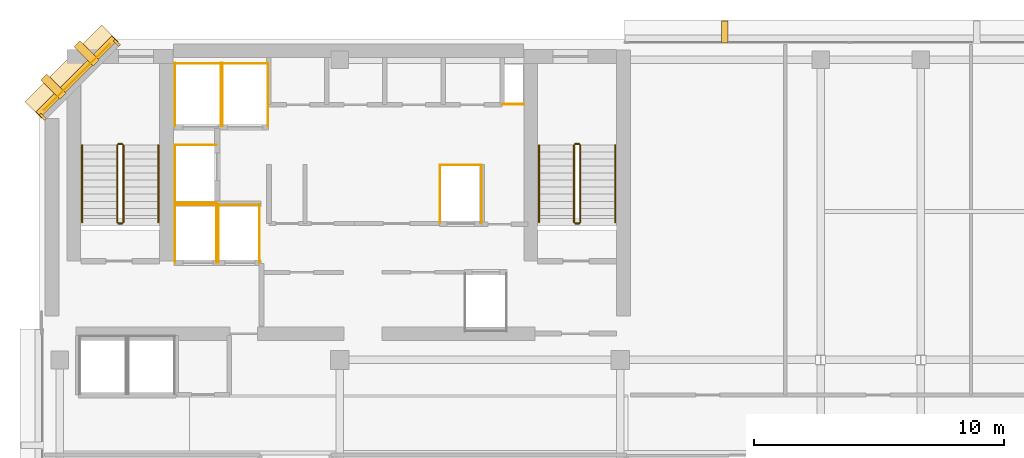
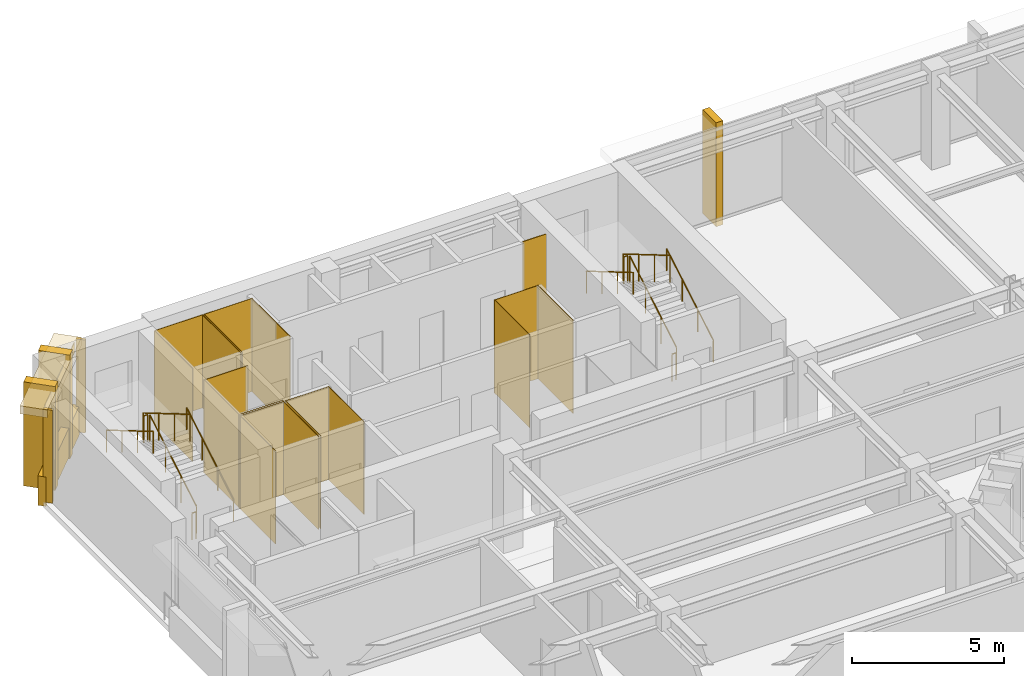
# One storey, part 10 of 11: 27 coverings, 12 railings.
"""IFC4 building model written with IfcOpenShell, lengths in metres."""

from ifc_helpers import new_model, si_unit, direction, frame, origin, origin_2d, place, context, subcontext, project, spatial, polyline, rectangle, circle, outline, extrude, material, layer, layer_set, type_object, element, save


model = new_model("IFC4")

# Units and contexts
model_context = context("Model", 3, precision=1e-05, world=origin(), true_north=direction((0.0, 1.0)))
body_context = subcontext(model_context, "Body", "Model", "MODEL_VIEW")
ifc_project = project(units=[si_unit("LENGTHUNIT", "METRE"), si_unit("AREAUNIT", "SQUARE_METRE"), si_unit("VOLUMEUNIT", "CUBIC_METRE"), si_unit("PLANEANGLEUNIT", "RADIAN"), si_unit("MASSUNIT", "GRAM", prefix="KILO")], contexts=[model_context])

# Site, building, storey
site_placement = place(None, origin())
site = spatial("IfcSite", under=ifc_project, at=site_placement, CompositionType="ELEMENT")
building_placement = place(site_placement, origin())
building = spatial("IfcBuilding", under=site, at=building_placement, Name="Kefirva Bronze Tower", CompositionType="ELEMENT")
storey_placement = place(building_placement, frame((0.0, 0.0, 303.929931640625)))
storey = spatial("IfcBuildingStorey", under=building, at=storey_placement, Name="L74", CompositionType="ELEMENT", Elevation=303.929931640625)

# Coverings
ifc_material_1 = material(Name="Bronze anodised aluminium", Category="aluminium")
ifc_layer_1 = layer(ifc_material_1, 0.02001953125, Name="Bronze anodised aluminium")
ifc_layer_set_1 = layer_set([ifc_layer_1], Name="Bronze anodised aluminium")
covering_type_1 = type_object("IfcCoveringType", Name="Anodised Bronze Spandrel Cladding 20mm", PredefinedType="CLADDING", material=ifc_layer_set_1)
covering_1_placement = place(storey_placement, frame((1.492919921875, 44.507080078125, 3.320068359375), z_axis=(0.0, 0.0, 1.0), x_axis=(-0.707106781187, -0.707106781187, 0.0)))
element("IfcCovering", 1, at=covering_1_placement, inside=storey, type_object=covering_type_1, Name="L74 Bronze Spandrel Cladding 6", PredefinedType="CLADDING", context=body_context, shape_type="SweptSolid", body=[
    extrude(rectangle(XDim=3.719482421875, YDim=0.02001953125, at=origin_2d()), origin(), (0.0, 0.0, 1.0), 0.39990234375),
])
for number, where, z_axis, x_axis, name in (
    (2, (3.08837890625, 45.862060546875, 0.0), (0.0, 0.0, 1.0), (-0.707106781187, -0.707106781187, 0.0), "L74 Facade Joint Closure Panel 6S"),
    (3, (0.137939453125, 42.91162109375, 0.0), (0.0, 0.0, 1.0), (-0.707106781187, -0.707106781187, 0.0), "L74 Facade Joint Closure Panel 6E"),
):
    element("IfcCovering", number, at=place(storey_placement, frame(where, z_axis=z_axis, x_axis=x_axis)), inside=storey, type_object=covering_type_1, Name=name, PredefinedType="CLADDING", context=body_context, shape_type="SweptSolid", body=[
        extrude(rectangle(XDim=0.10009765625, YDim=0.320068359375, at=origin_2d()), origin(), (0.0, 0.0, 1.0), 3.739990234375),
    ])
covering_2_placement = place(storey_placement, frame((1.4716796875, 44.5283203125, -0.15966796875), z_axis=(0.0, 0.0, 1.0), x_axis=(-0.707106781187, -0.707106781187, 0.0)))
element("IfcCovering", 4, at=covering_2_placement, inside=storey, type_object=covering_type_1, Name="L74 Streamline Horizontal Spandrel Band 9", PredefinedType="CLADDING", context=body_context, shape_type="SweptSolid", body=[
    extrude(rectangle(XDim=4.28271484375, YDim=0.280029296875, at=origin_2d()), origin(), (0.0, 0.0, 1.0), 1.179931640625),
])
covering_3_placement = place(storey_placement, origin())
element("IfcCovering", 5, at=covering_3_placement, inside=storey, type_object=covering_type_1, Name="L74 Lift FF1 Hoistway Liner N", PredefinedType="CLADDING", context=body_context, shape_type="SweptSolid", body=[
    extrude(outline(polyline([(5.39990234375, 39.389892578125), (7.080078125, 39.389892578125), (7.080078125, 39.409912109375), (5.39990234375, 39.409912109375), (5.39990234375, 39.389892578125)])), origin(), (0.0, 0.0, 1.0), 3.739990234375),
])
covering_4_placement = place(storey_placement, origin())
element("IfcCovering", 6, at=covering_4_placement, inside=storey, type_object=covering_type_1, Name="L74 Lift FF1 Hoistway Liner W", PredefinedType="CLADDING", context=body_context, shape_type="SweptSolid", body=[
    extrude(outline(polyline([(5.409912109375, 37.080078125), (5.429931640625, 37.080078125), (5.429931640625, 39.419921875), (5.409912109375, 39.419921875), (5.409912109375, 37.080078125)])), origin(), (0.0, 0.0, 1.0), 3.739990234375),
])
covering_5_placement = place(storey_placement, origin())
element("IfcCovering", 7, at=covering_5_placement, inside=storey, type_object=covering_type_1, Name="L74 Lift FF1 Hoistway Liner E", PredefinedType="CLADDING", context=body_context, shape_type="SweptSolid", body=[
    extrude(outline(polyline([(7.050048828125, 37.080078125), (7.070068359375, 37.080078125), (7.070068359375, 39.419921875), (7.050048828125, 39.419921875), (7.050048828125, 37.080078125)])), origin(), (0.0, 0.0, 1.0), 3.739990234375),
])
covering_6_placement = place(storey_placement, origin())
element("IfcCovering", 8, at=covering_6_placement, inside=storey, type_object=covering_type_1, Name="L74 Lift FF2 Hoistway Liner N", PredefinedType="CLADDING", context=body_context, shape_type="SweptSolid", body=[
    extrude(outline(polyline([(7.1201171875, 39.389892578125), (8.800048828125, 39.389892578125), (8.800048828125, 39.409912109375), (7.1201171875, 39.409912109375), (7.1201171875, 39.389892578125)])), origin(), (0.0, 0.0, 1.0), 3.739990234375),
])
covering_7_placement = place(storey_placement, origin())
element("IfcCovering", 9, at=covering_7_placement, inside=storey, type_object=covering_type_1, Name="L74 Lift FF2 Hoistway Liner W", PredefinedType="CLADDING", context=body_context, shape_type="SweptSolid", body=[
    extrude(outline(polyline([(7.1298828125, 37.080078125), (7.14990234375, 37.080078125), (7.14990234375, 39.419921875), (7.1298828125, 39.419921875), (7.1298828125, 37.080078125)])), origin(), (0.0, 0.0, 1.0), 3.739990234375),
])
covering_8_placement = place(storey_placement, origin())
element("IfcCovering", 10, at=covering_8_placement, inside=storey, type_object=covering_type_1, Name="L74 Lift FF2 Hoistway Liner E", PredefinedType="CLADDING", context=body_context, shape_type="SweptSolid", body=[
    extrude(outline(polyline([(8.77001953125, 37.080078125), (8.7900390625, 37.080078125), (8.7900390625, 39.419921875), (8.77001953125, 39.419921875), (8.77001953125, 37.080078125)])), origin(), (0.0, 0.0, 1.0), 3.739990234375),
])
covering_9_placement = place(storey_placement, origin())
element("IfcCovering", 11, at=covering_9_placement, inside=storey, type_object=covering_type_1, Name="L74 Lift SV1 Hoistway Liner N", PredefinedType="CLADDING", context=body_context, shape_type="SweptSolid", body=[
    extrude(outline(polyline([(5.39990234375, 45.0400390625), (7.260009765625, 45.0400390625), (7.260009765625, 45.06005859375), (5.39990234375, 45.06005859375), (5.39990234375, 45.0400390625)])), origin(), (0.0, 0.0, 1.0), 3.739990234375),
])
covering_10_placement = place(storey_placement, origin())
element("IfcCovering", 12, at=covering_10_placement, inside=storey, type_object=covering_type_1, Name="L74 Lift SV1 Hoistway Liner W", PredefinedType="CLADDING", context=body_context, shape_type="SweptSolid", body=[
    extrude(outline(polyline([(5.409912109375, 42.530029296875), (5.429931640625, 42.530029296875), (5.429931640625, 45.070068359375), (5.409912109375, 45.070068359375), (5.409912109375, 42.530029296875)])), origin(), (0.0, 0.0, 1.0), 3.739990234375),
])
covering_11_placement = place(storey_placement, origin())
element("IfcCovering", 13, at=covering_11_placement, inside=storey, type_object=covering_type_1, Name="L74 Lift SV1 Hoistway Liner E", PredefinedType="CLADDING", context=body_context, shape_type="SweptSolid", body=[
    extrude(outline(polyline([(7.22998046875, 42.530029296875), (7.25, 42.530029296875), (7.25, 45.070068359375), (7.22998046875, 45.070068359375), (7.22998046875, 42.530029296875)])), origin(), (0.0, 0.0, 1.0), 3.739990234375),
])
covering_12_placement = place(storey_placement, origin())
element("IfcCovering", 14, at=covering_12_placement, inside=storey, type_object=covering_type_1, Name="L74 Lift SV2 Hoistway Liner N", PredefinedType="CLADDING", context=body_context, shape_type="SweptSolid", body=[
    extrude(outline(polyline([(7.280029296875, 45.0400390625), (9.139892578125, 45.0400390625), (9.139892578125, 45.06005859375), (7.280029296875, 45.06005859375), (7.280029296875, 45.0400390625)])), origin(), (0.0, 0.0, 1.0), 3.739990234375),
])
covering_13_placement = place(storey_placement, origin())
element("IfcCovering", 15, at=covering_13_placement, inside=storey, type_object=covering_type_1, Name="L74 Lift SV2 Hoistway Liner W", PredefinedType="CLADDING", context=body_context, shape_type="SweptSolid", body=[
    extrude(outline(polyline([(7.2900390625, 42.530029296875), (7.31005859375, 42.530029296875), (7.31005859375, 45.070068359375), (7.2900390625, 45.070068359375), (7.2900390625, 42.530029296875)])), origin(), (0.0, 0.0, 1.0), 3.739990234375),
])
covering_14_placement = place(storey_placement, origin())
element("IfcCovering", 16, at=covering_14_placement, inside=storey, type_object=covering_type_1, Name="L74 Lift SV2 Hoistway Liner E", PredefinedType="CLADDING", context=body_context, shape_type="SweptSolid", body=[
    extrude(outline(polyline([(9.110107421875, 42.530029296875), (9.1298828125, 42.530029296875), (9.1298828125, 45.070068359375), (9.110107421875, 45.070068359375), (9.110107421875, 42.530029296875)])), origin(), (0.0, 0.0, 1.0), 3.739990234375),
])
covering_15_placement = place(storey_placement, origin())
element("IfcCovering", 17, at=covering_15_placement, inside=storey, type_object=covering_type_1, Name="L74 Lift HP2 Hoistway Liner N", PredefinedType="CLADDING", context=body_context, shape_type="SweptSolid", body=[
    extrude(outline(polyline([(15.97998046875, 40.969970703125), (17.669921875, 40.969970703125), (17.669921875, 40.989990234375), (15.97998046875, 40.989990234375), (15.97998046875, 40.969970703125)])), origin(), (0.0, 0.0, 1.0), 3.739990234375),
])
covering_16_placement = place(storey_placement, origin())
element("IfcCovering", 18, at=covering_16_placement, inside=storey, type_object=covering_type_1, Name="L74 Lift HP2 Hoistway Liner W", PredefinedType="CLADDING", context=body_context, shape_type="SweptSolid", body=[
    extrude(outline(polyline([(15.989990234375, 38.659912109375), (16.010009765625, 38.659912109375), (16.010009765625, 41.0), (15.989990234375, 41.0), (15.989990234375, 38.659912109375)])), origin(), (0.0, 0.0, 1.0), 3.739990234375),
])
covering_17_placement = place(storey_placement, origin())
element("IfcCovering", 19, at=covering_17_placement, inside=storey, type_object=covering_type_1, Name="L74 Lift HP2 Hoistway Liner E", PredefinedType="CLADDING", context=body_context, shape_type="SweptSolid", body=[
    extrude(outline(polyline([(17.639892578125, 38.659912109375), (17.659912109375, 38.659912109375), (17.659912109375, 41.0), (17.639892578125, 41.0), (17.639892578125, 38.659912109375)])), origin(), (0.0, 0.0, 1.0), 3.739990234375),
])
covering_18_placement = place(storey_placement, origin())
element("IfcCovering", 20, at=covering_18_placement, inside=storey, type_object=covering_type_1, Name="L74 Lift HP3 Hoistway Liner N", PredefinedType="CLADDING", context=body_context, shape_type="SweptSolid", body=[
    extrude(outline(polyline([(5.39990234375, 41.77001953125), (7.080078125, 41.77001953125), (7.080078125, 41.7900390625), (5.39990234375, 41.7900390625), (5.39990234375, 41.77001953125)])), origin(), (0.0, 0.0, 1.0), 3.739990234375),
])
covering_19_placement = place(storey_placement, origin())
element("IfcCovering", 21, at=covering_19_placement, inside=storey, type_object=covering_type_1, Name="L74 Lift HP3 Hoistway Liner S", PredefinedType="CLADDING", context=body_context, shape_type="SweptSolid", body=[
    extrude(outline(polyline([(5.39990234375, 39.469970703125), (7.080078125, 39.469970703125), (7.080078125, 39.489990234375), (5.39990234375, 39.489990234375), (5.39990234375, 39.469970703125)])), origin(), (0.0, 0.0, 1.0), 3.739990234375),
])
covering_20_placement = place(storey_placement, origin())
element("IfcCovering", 22, at=covering_20_placement, inside=storey, type_object=covering_type_1, Name="L74 Lift HP3 Hoistway Liner W", PredefinedType="CLADDING", context=body_context, shape_type="SweptSolid", body=[
    extrude(outline(polyline([(5.409912109375, 39.4599609375), (5.429931640625, 39.4599609375), (5.429931640625, 41.800048828125), (5.409912109375, 41.800048828125), (5.409912109375, 39.4599609375)])), origin(), (0.0, 0.0, 1.0), 3.739990234375),
])
covering_21_placement = place(storey_placement, origin())
element("IfcCovering", 23, at=covering_21_placement, inside=storey, type_object=covering_type_1, Name="L74 Core MEP Riser Shaft Liner South", PredefinedType="CLADDING", context=body_context, shape_type="SweptSolid", body=[
    extrude(outline(polyline([(18.47998046875, 43.39990234375), (19.360107421875, 43.39990234375), (19.360107421875, 43.429931640625), (18.47998046875, 43.429931640625), (18.47998046875, 43.39990234375)])), origin(), (0.0, 0.0, 1.0), 3.739990234375),
])

# Railings
ifc_material_2 = material(Name="Stainless steel 316", Category="steel")
railing_type_1 = type_object("IfcRailingType", Name="Interior Stair Guardrail 1100mm", PredefinedType="GUARDRAIL", material=ifc_material_2)
railing_1_placement = place(storey_placement, frame((3.35009765625, 38.699951171875, 0.1650390625)))
element("IfcRailing", 24, at=railing_1_placement, inside=storey, type_object=railing_type_1, Name="L74 ST-1 stair guard 1", PredefinedType="GUARDRAIL", context=body_context, shape_type="SweptSolid", body=[
    extrude(circle(Radius=0.02392578125, at=origin_2d()), frame((0.0, 0.0, 1.076171875), z_axis=(0.0, 0.861551262678, 0.507670583921), x_axis=(-1.0, 0.0, 0.0)), (0.0, 0.0, 1.0), 3.574951171875),
    extrude(circle(Radius=0.02099609375, at=origin_2d()), origin(), (0.0, 0.0, 1.0), 1.052001953125),
    extrude(circle(Radius=0.02099609375, at=origin_2d()), frame((0.0, 1.026611328125, 0.60498046875)), (0.0, 0.0, 1.0), 1.052001953125),
    extrude(circle(Radius=0.02099609375, at=origin_2d()), frame((0.0, 2.053466796875, 1.2099609375)), (0.0, 0.0, 1.0), 1.052001953125),
    extrude(circle(Radius=0.02099609375, at=origin_2d()), frame((0.0, 3.080078125, 1.81494140625)), (0.0, 0.0, 1.0), 1.052001953125),
])
railing_2_placement = place(storey_placement, frame((3.300048828125, 41.830078125, 1.97998046875)))
element("IfcRailing", 25, at=railing_2_placement, inside=storey, type_object=railing_type_1, Name="L74 ST-1 stair guard 2", PredefinedType="GUARDRAIL", context=body_context, shape_type="SweptSolid", body=[
    extrude(circle(Radius=0.02392578125, at=origin_2d()), frame((0.0, 0.0, 1.076171875), z_axis=(-1.0, 0.0, 0.0), x_axis=(0.0, -1.0, 0.0)), (0.0, 0.0, 1.0), 0.150146484375),
    extrude(circle(Radius=0.02099609375, at=origin_2d()), origin(), (0.0, 0.0, 1.0), 1.052001953125),
    extrude(circle(Radius=0.02099609375, at=origin_2d()), frame((-0.150146484375, 0.0, 0.0)), (0.0, 0.0, 1.0), 1.052001953125),
])
railing_3_placement = place(storey_placement, frame((3.10009765625, 41.780029296875, 2.14501953125)))
element("IfcRailing", 26, at=railing_3_placement, inside=storey, type_object=railing_type_1, Name="L74 ST-1 stair guard 3", PredefinedType="GUARDRAIL", context=body_context, shape_type="SweptSolid", body=[
    extrude(circle(Radius=0.02392578125, at=origin_2d()), frame((0.0, 0.0, 1.076171875), z_axis=(0.0, -0.861551262678, 0.507670583921), x_axis=(1.0, 0.0, 0.0)), (0.0, 0.0, 1.0), 3.574951171875),
    extrude(circle(Radius=0.02099609375, at=origin_2d()), origin(), (0.0, 0.0, 1.0), 1.052001953125),
    extrude(circle(Radius=0.02099609375, at=origin_2d()), frame((0.0, -1.026611328125, 0.60498046875)), (0.0, 0.0, 1.0), 1.052001953125),
    extrude(circle(Radius=0.02099609375, at=origin_2d()), frame((0.0, -2.053466796875, 1.2099609375)), (0.0, 0.0, 1.0), 1.052001953125),
    extrude(circle(Radius=0.02099609375, at=origin_2d()), frame((0.0, -3.080078125, 1.81494140625)), (0.0, 0.0, 1.0), 1.052001953125),
])
railing_4_placement = place(storey_placement, frame((3.300048828125, 38.64990234375, 0.0)))
element("IfcRailing", 27, at=railing_4_placement, inside=storey, type_object=railing_type_1, Name="L74 ST-1 stair guard 4", PredefinedType="GUARDRAIL", context=body_context, shape_type="SweptSolid", body=[
    extrude(circle(Radius=0.02392578125, at=origin_2d()), frame((0.0, 0.0, 1.076171875), z_axis=(-1.0, 0.0, 0.0), x_axis=(0.0, -1.0, 0.0)), (0.0, 0.0, 1.0), 0.150146484375),
    extrude(circle(Radius=0.02099609375, at=origin_2d()), origin(), (0.0, 0.0, 1.0), 1.052001953125),
    extrude(circle(Radius=0.02099609375, at=origin_2d()), frame((-0.150146484375, 0.0, 0.0)), (0.0, 0.0, 1.0), 1.052001953125),
])
railing_5_placement = place(storey_placement, frame((21.60009765625, 38.699951171875, 0.1650390625)))
element("IfcRailing", 28, at=railing_5_placement, inside=storey, type_object=railing_type_1, Name="L74 ST-2 stair guard 1", PredefinedType="GUARDRAIL", context=body_context, shape_type="SweptSolid", body=[
    extrude(circle(Radius=0.02392578125, at=origin_2d()), frame((0.0, 0.0, 1.076171875), z_axis=(0.0, 0.861551262678, 0.507670583921), x_axis=(-1.0, 0.0, 0.0)), (0.0, 0.0, 1.0), 3.574951171875),
    extrude(circle(Radius=0.02099609375, at=origin_2d()), origin(), (0.0, 0.0, 1.0), 1.052001953125),
    extrude(circle(Radius=0.02099609375, at=origin_2d()), frame((0.0, 1.026611328125, 0.60498046875)), (0.0, 0.0, 1.0), 1.052001953125),
    extrude(circle(Radius=0.02099609375, at=origin_2d()), frame((0.0, 2.053466796875, 1.2099609375)), (0.0, 0.0, 1.0), 1.052001953125),
    extrude(circle(Radius=0.02099609375, at=origin_2d()), frame((0.0, 3.080078125, 1.81494140625)), (0.0, 0.0, 1.0), 1.052001953125),
])
railing_6_placement = place(storey_placement, frame((21.550048828125, 41.830078125, 1.97998046875)))
element("IfcRailing", 29, at=railing_6_placement, inside=storey, type_object=railing_type_1, Name="L74 ST-2 stair guard 2", PredefinedType="GUARDRAIL", context=body_context, shape_type="SweptSolid", body=[
    extrude(circle(Radius=0.02392578125, at=origin_2d()), frame((0.0, 0.0, 1.076171875), z_axis=(-1.0, 0.0, 0.0), x_axis=(0.0, -1.0, 0.0)), (0.0, 0.0, 1.0), 0.150146484375),
    extrude(circle(Radius=0.02099609375, at=origin_2d()), origin(), (0.0, 0.0, 1.0), 1.052001953125),
    extrude(circle(Radius=0.02099609375, at=origin_2d()), frame((-0.150146484375, 0.0, 0.0)), (0.0, 0.0, 1.0), 1.052001953125),
])
railing_7_placement = place(storey_placement, frame((21.35009765625, 41.780029296875, 2.14501953125)))
element("IfcRailing", 30, at=railing_7_placement, inside=storey, type_object=railing_type_1, Name="L74 ST-2 stair guard 3", PredefinedType="GUARDRAIL", context=body_context, shape_type="SweptSolid", body=[
    extrude(circle(Radius=0.02392578125, at=origin_2d()), frame((0.0, 0.0, 1.076171875), z_axis=(0.0, -0.861551262678, 0.507670583921), x_axis=(1.0, 0.0, 0.0)), (0.0, 0.0, 1.0), 3.574951171875),
    extrude(circle(Radius=0.02099609375, at=origin_2d()), origin(), (0.0, 0.0, 1.0), 1.052001953125),
    extrude(circle(Radius=0.02099609375, at=origin_2d()), frame((0.0, -1.026611328125, 0.60498046875)), (0.0, 0.0, 1.0), 1.052001953125),
    extrude(circle(Radius=0.02099609375, at=origin_2d()), frame((0.0, -2.053466796875, 1.2099609375)), (0.0, 0.0, 1.0), 1.052001953125),
    extrude(circle(Radius=0.02099609375, at=origin_2d()), frame((0.0, -3.080078125, 1.81494140625)), (0.0, 0.0, 1.0), 1.052001953125),
])
railing_8_placement = place(storey_placement, frame((21.550048828125, 38.64990234375, 0.0)))
element("IfcRailing", 31, at=railing_8_placement, inside=storey, type_object=railing_type_1, Name="L74 ST-2 stair guard 4", PredefinedType="GUARDRAIL", context=body_context, shape_type="SweptSolid", body=[
    extrude(circle(Radius=0.02392578125, at=origin_2d()), frame((0.0, 0.0, 1.076171875), z_axis=(-1.0, 0.0, 0.0), x_axis=(0.0, -1.0, 0.0)), (0.0, 0.0, 1.0), 0.150146484375),
    extrude(circle(Radius=0.02099609375, at=origin_2d()), origin(), (0.0, 0.0, 1.0), 1.052001953125),
    extrude(circle(Radius=0.02099609375, at=origin_2d()), frame((-0.150146484375, 0.0, 0.0)), (0.0, 0.0, 1.0), 1.052001953125),
])
railing_type_2 = type_object("IfcRailingType", Name="Stair Pitch Handrail 900mm", PredefinedType="HANDRAIL", material=ifc_material_2)
railing_9_placement = place(storey_placement, frame((4.75, 38.699951171875, 0.1650390625)))
element("IfcRailing", 32, at=railing_9_placement, inside=storey, type_object=railing_type_2, Name="L74 ST-1 stair handrail 1", PredefinedType="HANDRAIL", context=body_context, shape_type="SweptSolid", body=[
    extrude(circle(Radius=0.02392578125, at=origin_2d()), frame((0.0, 0.0, 0.8759765625), z_axis=(0.0, 0.861551262678, 0.507670583921), x_axis=(-1.0, 0.0, 0.0)), (0.0, 0.0, 1.0), 3.574951171875),
    extrude(circle(Radius=0.02099609375, at=origin_2d()), origin(), (0.0, 0.0, 1.0), 0.851806640625),
    extrude(circle(Radius=0.02099609375, at=origin_2d()), frame((0.0, 1.026611328125, 0.60498046875)), (0.0, 0.0, 1.0), 0.851806640625),
    extrude(circle(Radius=0.02099609375, at=origin_2d()), frame((0.0, 2.053466796875, 1.2099609375)), (0.0, 0.0, 1.0), 0.851806640625),
    extrude(circle(Radius=0.02099609375, at=origin_2d()), frame((0.0, 3.080078125, 1.81494140625)), (0.0, 0.0, 1.0), 0.851806640625),
])
railing_10_placement = place(storey_placement, frame((1.699951171875, 41.780029296875, 2.14501953125)))
element("IfcRailing", 33, at=railing_10_placement, inside=storey, type_object=railing_type_2, Name="L74 ST-1 stair handrail 2", PredefinedType="HANDRAIL", context=body_context, shape_type="SweptSolid", body=[
    extrude(circle(Radius=0.02392578125, at=origin_2d()), frame((0.0, 0.0, 0.8759765625), z_axis=(0.0, -0.861551262678, 0.507670583921), x_axis=(1.0, 0.0, 0.0)), (0.0, 0.0, 1.0), 3.574951171875),
    extrude(circle(Radius=0.02099609375, at=origin_2d()), origin(), (0.0, 0.0, 1.0), 0.851806640625),
    extrude(circle(Radius=0.02099609375, at=origin_2d()), frame((0.0, -1.026611328125, 0.60498046875)), (0.0, 0.0, 1.0), 0.851806640625),
    extrude(circle(Radius=0.02099609375, at=origin_2d()), frame((0.0, -2.053466796875, 1.2099609375)), (0.0, 0.0, 1.0), 0.851806640625),
    extrude(circle(Radius=0.02099609375, at=origin_2d()), frame((0.0, -3.080078125, 1.81494140625)), (0.0, 0.0, 1.0), 0.851806640625),
])
railing_11_placement = place(storey_placement, frame((23.0, 38.699951171875, 0.1650390625)))
element("IfcRailing", 34, at=railing_11_placement, inside=storey, type_object=railing_type_2, Name="L74 ST-2 stair handrail 1", PredefinedType="HANDRAIL", context=body_context, shape_type="SweptSolid", body=[
    extrude(circle(Radius=0.02392578125, at=origin_2d()), frame((0.0, 0.0, 0.8759765625), z_axis=(0.0, 0.861551262678, 0.507670583921), x_axis=(-1.0, 0.0, 0.0)), (0.0, 0.0, 1.0), 3.574951171875),
    extrude(circle(Radius=0.02099609375, at=origin_2d()), origin(), (0.0, 0.0, 1.0), 0.851806640625),
    extrude(circle(Radius=0.02099609375, at=origin_2d()), frame((0.0, 1.026611328125, 0.60498046875)), (0.0, 0.0, 1.0), 0.851806640625),
    extrude(circle(Radius=0.02099609375, at=origin_2d()), frame((0.0, 2.053466796875, 1.2099609375)), (0.0, 0.0, 1.0), 0.851806640625),
    extrude(circle(Radius=0.02099609375, at=origin_2d()), frame((0.0, 3.080078125, 1.81494140625)), (0.0, 0.0, 1.0), 0.851806640625),
])
railing_12_placement = place(storey_placement, frame((19.949951171875, 41.780029296875, 2.14501953125)))
element("IfcRailing", 35, at=railing_12_placement, inside=storey, type_object=railing_type_2, Name="L74 ST-2 stair handrail 2", PredefinedType="HANDRAIL", context=body_context, shape_type="SweptSolid", body=[
    extrude(circle(Radius=0.02392578125, at=origin_2d()), frame((0.0, 0.0, 0.8759765625), z_axis=(0.0, -0.861551262678, 0.507670583921), x_axis=(1.0, 0.0, 0.0)), (0.0, 0.0, 1.0), 3.574951171875),
    extrude(circle(Radius=0.02099609375, at=origin_2d()), origin(), (0.0, 0.0, 1.0), 0.851806640625),
    extrude(circle(Radius=0.02099609375, at=origin_2d()), frame((0.0, -1.026611328125, 0.60498046875)), (0.0, 0.0, 1.0), 0.851806640625),
    extrude(circle(Radius=0.02099609375, at=origin_2d()), frame((0.0, -2.053466796875, 1.2099609375)), (0.0, 0.0, 1.0), 0.851806640625),
    extrude(circle(Radius=0.02099609375, at=origin_2d()), frame((0.0, -3.080078125, 1.81494140625)), (0.0, 0.0, 1.0), 0.851806640625),
])

# Coverings
ifc_layer_2 = layer(ifc_material_1, 0.179931640625, Name="Bronze anodised aluminium")
ifc_layer_set_2 = layer_set([ifc_layer_2], Name="Bronze anodised aluminium")
covering_type_2 = type_object("IfcCoveringType", Name="Streamline Bronze Sunshade Eyebrow Cladding 180mm", PredefinedType="CLADDING", material=ifc_layer_set_2)
covering_22_placement = place(storey_placement, frame((1.28076171875, 44.71923828125, 3.419921875), z_axis=(0.0, 0.0, 1.0), x_axis=(-0.707106781187, -0.707106781187, 0.0)))
element("IfcCovering", 36, at=covering_22_placement, inside=storey, type_object=covering_type_2, Name="L74 Streamline Bronze Sunshade Eyebrow 9", PredefinedType="CLADDING", context=body_context, shape_type="SweptSolid", body=[
    extrude(rectangle(XDim=4.322509765625, YDim=0.93994140625, at=origin_2d()), origin(), (0.0, 0.0, 1.0), 0.320068359375),
])
ifc_layer_3 = layer(ifc_material_1, 0.260009765625, Name="Bronze anodised aluminium")
ifc_layer_set_3 = layer_set([ifc_layer_3], Name="Bronze anodised aluminium")
covering_type_3 = type_object("IfcCoveringType", Name="Unbroken Bronze Buttress Fin Cladding 260mm", PredefinedType="CLADDING", material=ifc_layer_set_3)
covering_23_placement = place(storey_placement, frame((27.364013671875, 46.300048828125, -0.2197265625), z_axis=(0.0, 0.0, 1.0), x_axis=(-1.0, 0.0, 0.0)))
element("IfcCovering", 37, at=covering_23_placement, inside=storey, type_object=covering_type_3, Name="L74 Unbroken Vertical Bronze Rib Fin 18", PredefinedType="CLADDING", context=body_context, shape_type="SweptSolid", body=[
    extrude(rectangle(XDim=0.260009765625, YDim=0.8798828125, at=origin_2d()), origin(), (0.0, 0.0, 1.0), 4.179931640625),
])
for number, where, z_axis, x_axis, name in (
    (38, (1.877197265625, 45.44287109375, -0.2197265625), (0.0, 0.0, 1.0), (-0.707106781187, -0.707106781187, 0.0), "L74 Chamfered Corner Buttress Fin Cladding 19"),
    (39, (0.55712890625, 44.122802734375, -0.2197265625), (0.0, 0.0, 1.0), (-0.707106781187, -0.707106781187, 0.0), "L74 Chamfered Corner Buttress Fin Cladding 20"),
):
    element("IfcCovering", number, at=place(storey_placement, frame(where, z_axis=z_axis, x_axis=x_axis)), inside=storey, type_object=covering_type_3, Name=name, PredefinedType="CLADDING", context=body_context, shape_type="SweptSolid", body=[
        extrude(rectangle(XDim=0.340087890625, YDim=1.080078125, at=origin_2d()), origin(), (0.0, 0.0, 1.0), 4.179931640625),
    ])

save(model, "model.ifc")
